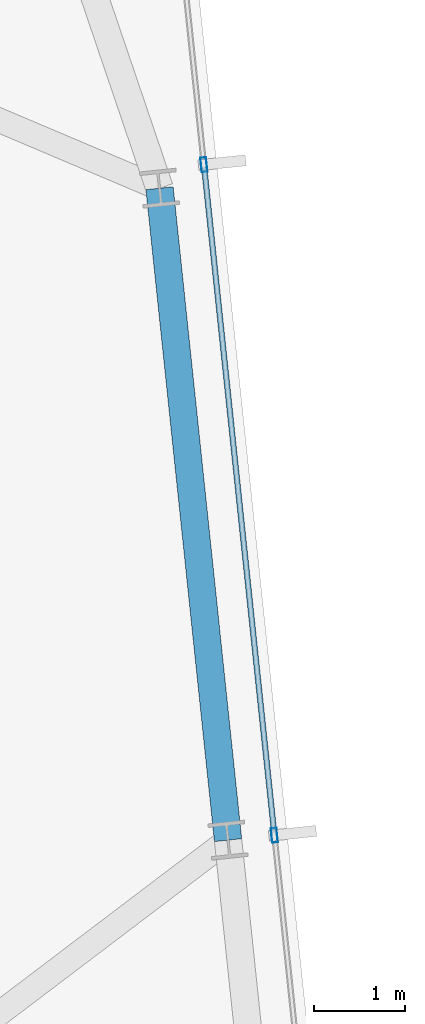
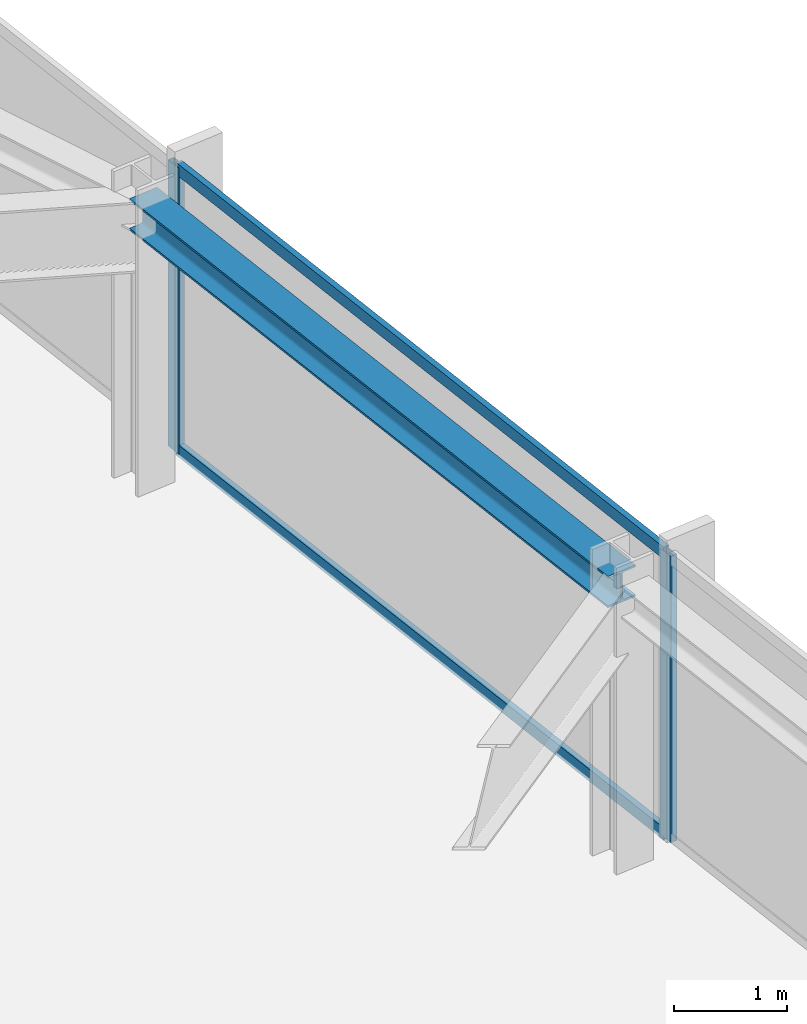
# One storey, part 19 of 33: 4 members, 1 beam, 1 element without a shape of its own.
"""IFC4 building model written with IfcOpenShell, lengths in metres."""

import ifcopenshell
import ifcopenshell.guid

model = None  # the IFC model being written
_history = None  # IfcOwnerHistory: only IFC2X3 demands one
_inside = {}  # id of a spatial element -> (the spatial element, [elements in it])
_under = {}  # id of a project, library or spatial element -> (it, [spatial elements below it])
_declared = {}  # id of a project -> (the project, [libraries it declares])
_typed = {}  # id of a type object -> (the type object, [elements of that type])
_made_of = {}  # id of a material, layer set ... -> (it, [elements and type objects made of it])


def new_model(schema):
    """Start an empty IFC model of exactly this schema.

    Asked for "IFC4X3", IfcOpenShell would pick the latest addendum, in which some entities
    have other attributes; the version numbers below select the first issue.
    IFC2X3 requires an IfcOwnerHistory on every rooted entity: one is made here for all.
    """
    global model, _history
    if schema == "IFC4X3":
        model = ifcopenshell.file(schema_version=(4, 3, 0, 0))
    else:
        model = ifcopenshell.file(schema=schema)
    _inside.clear()
    _under.clear()
    _declared.clear()
    _typed.clear()
    _made_of.clear()
    _history = None
    if model.schema == "IFC2X3":
        org = make("IfcOrganization", Name="unknown")
        user = make(
            "IfcPersonAndOrganization",
            ThePerson=make("IfcPerson", FamilyName="unknown"),
            TheOrganization=org,
        )
        app = make(
            "IfcApplication",
            ApplicationDeveloper=org,
            Version="unknown",
            ApplicationFullName="unknown",
            ApplicationIdentifier="unknown",
        )
        _history = make(
            "IfcOwnerHistory",
            OwningUser=user,
            OwningApplication=app,
            ChangeAction="ADDED",
            CreationDate=0,
        )
    return model


def make(cls, **values):
    """One entity of the class cls with the attributes given. An attribute that is None is left unset."""
    return model.create_entity(
        cls, **{name: value for name, value in values.items() if value is not None}
    )


def rooted(cls, **values):
    """An entity with a GlobalId (a new one), such as an element, a storey or a relation."""
    return make(cls, GlobalId=ifcopenshell.guid.new(), OwnerHistory=_history, **values)


def si_unit(unit_type, name, prefix=None):
    """IfcSIUnit, for example si_unit("LENGTHUNIT", "METRE", prefix="MILLI")."""
    return make("IfcSIUnit", UnitType=unit_type, Prefix=prefix, Name=name)


def assignment(units):
    """IfcUnitAssignment: the units of a project."""
    return None if units is None else make("IfcUnitAssignment", Units=units)


def point(xyz):
    """IfcCartesianPoint."""
    return None if xyz is None else make("IfcCartesianPoint", Coordinates=xyz)


def direction(xyz):
    """IfcDirection."""
    return None if xyz is None else make("IfcDirection", DirectionRatios=xyz)


def frame(location, z_axis=None, x_axis=None):
    """IfcAxis2Placement3D, a coordinate frame: its origin and axes. An axis left out is left unset."""
    return make(
        "IfcAxis2Placement3D",
        Location=point(location),
        Axis=direction(z_axis),
        RefDirection=direction(x_axis),
    )


def frame_2d(location, x_axis=None):
    """IfcAxis2Placement2D, a coordinate frame in the plane: its origin and x axis."""
    return make(
        "IfcAxis2Placement2D", Location=point(location), RefDirection=direction(x_axis)
    )


def origin():
    """The frame at (0, 0, 0) with its axes left unset."""
    return frame((0.0, 0.0, 0.0))


def origin_2d():
    """The frame at (0, 0) in the plane with its x axis left unset."""
    return frame_2d((0.0, 0.0))


def place(relative_to, where):
    """IfcLocalPlacement: puts the frame where relative to a parent placement (None: the world)."""
    return make(
        "IfcLocalPlacement", PlacementRelTo=relative_to, RelativePlacement=where
    )


def context(
    kind, dimensions, precision=None, world=None, true_north=None, identifier=None
):
    """IfcGeometricRepresentationContext, for example the 3D "Model" context."""
    return make(
        "IfcGeometricRepresentationContext",
        ContextIdentifier=identifier,
        ContextType=kind,
        CoordinateSpaceDimension=dimensions,
        Precision=precision,
        WorldCoordinateSystem=world,
        TrueNorth=true_north,
    )


def subcontext(parent, identifier, kind, view, scale=None):
    """IfcGeometricRepresentationSubContext, for example "Body" below "Model"."""
    return make(
        "IfcGeometricRepresentationSubContext",
        ContextIdentifier=identifier,
        ContextType=kind,
        ParentContext=parent,
        TargetScale=scale,
        TargetView=view,
    )


def project(units=None, contexts=None):
    """IfcProject with its units and contexts."""
    return rooted(
        "IfcProject",
        Name="project",
        RepresentationContexts=contexts,
        UnitsInContext=assignment(units),
    )


def spatial(cls, under=None, at=None, **own):
    """A site, building, storey or space (cls), placed at a placement, below another one or the project."""
    s = rooted(cls, ObjectPlacement=at, **own)
    if under is not None:
        _under.setdefault(under.id(), (under, []))[1].append(s)
    return s


def profile(cls, at=None, kind="AREA", **sizes):
    """A parametric profile (cls). Its sizes go by their IFC names, for example OverallWidth=200.0."""
    return make(cls, ProfileType=kind, Position=at, **sizes)


def hollow_rectangle(**sizes):
    """IfcRectangleHollowProfileDef."""
    return profile("IfcRectangleHollowProfileDef", **sizes)


def i_section(**sizes):
    """IfcIShapeProfileDef."""
    return profile("IfcIShapeProfileDef", **sizes)


def extrude(swept, where, along, depth):
    """IfcExtrudedAreaSolid: the profile swept, set in the frame where, extruded along a direction by depth."""
    return make(
        "IfcExtrudedAreaSolid",
        SweptArea=swept,
        Position=where,
        ExtrudedDirection=direction(along),
        Depth=depth,
    )


def shape(context_of_items, identifier, shape_type, items):
    """IfcShapeRepresentation: the items that make up one representation, for example the "Body"."""
    return make(
        "IfcShapeRepresentation",
        ContextOfItems=context_of_items,
        RepresentationIdentifier=identifier,
        RepresentationType=shape_type,
        Items=items,
    )


def material(Name=None, Category=None):
    """IfcMaterial."""
    return make("IfcMaterial", Name=Name, Category=Category)


def material_profile(
    of_material, cross_section, Name=None, Category=None, Priority=None
):
    """IfcMaterialProfile: a cross section and its material."""
    return make(
        "IfcMaterialProfile",
        Name=Name,
        Material=of_material,
        Profile=cross_section,
        Priority=Priority,
        Category=Category,
    )


def profile_set(profiles, Name=None, composite=None):
    """IfcMaterialProfileSet."""
    return make(
        "IfcMaterialProfileSet",
        Name=Name,
        MaterialProfiles=profiles,
        CompositeProfile=composite,
    )


def made_of(thing, what):
    """Note that an element or type object is made of a material, layer set ...; save() writes the relation."""
    if what is not None:
        _made_of.setdefault(what.id(), (what, []))[1].append(thing)
    return thing


def type_object(cls, material=None, **own):
    """A type object (cls), such as IfcWallType, which elements share."""
    return made_of(rooted(cls, **own), material)


def element(
    cls,
    number,
    at=None,
    inside=None,
    cuts=None,
    type_object=None,
    material=None,
    context=None,
    identifier="Body",
    shape_type=None,
    held_by="IfcProductDefinitionShape",
    body=None,
    shapes=None,
    **own,
):
    """One element of the class cls, such as IfcWall. Its Tag is "e" and its number.

    at: its placement. inside: the storey or other place that contains it. cuts: it is an
    opening in that element (IfcRelVoidsElement). A single representation is given by context,
    identifier, shape_type and body (its items); several are given by shapes. held_by: the class
    of the entity that holds the representations. save() writes the other relations.
    """
    e = rooted(cls, Tag="e%d" % number, ObjectPlacement=at, **own)
    if body is not None:
        shapes = [shape(context, identifier, shape_type, body)]
    if shapes is not None:
        e.Representation = make(held_by, Representations=shapes)
    if inside is not None:
        _inside.setdefault(inside.id(), (inside, []))[1].append(e)
    if cuts is not None:
        rooted(
            "IfcRelVoidsElement", RelatingBuildingElement=cuts, RelatedOpeningElement=e
        )
    if type_object is not None:
        _typed.setdefault(type_object.id(), (type_object, []))[1].append(e)
    return made_of(e, material)


def aggregate(whole, parts):
    """IfcRelAggregates: a whole, such as a stair, and the parts it consists of."""
    return rooted("IfcRelAggregates", RelatingObject=whole, RelatedObjects=parts)


def save(model, path):
    """Write the relations noted so far, then the file.

    IfcRelAggregates (storeys below a building ...), IfcRelContainedInSpatialStructure (elements
    in a storey), IfcRelDefinesByType, IfcRelAssociatesMaterial and IfcRelDeclares: one each for
    every whole, place, type object, material and project.
    """
    for whole, parts in _under.values():
        aggregate(whole, parts)
    for where, things in _inside.values():
        rooted(
            "IfcRelContainedInSpatialStructure",
            RelatedElements=things,
            RelatingStructure=where,
        )
    for kind, things in _typed.values():
        rooted("IfcRelDefinesByType", RelatedObjects=things, RelatingType=kind)
    for what, things in _made_of.values():
        rooted("IfcRelAssociatesMaterial", RelatedObjects=things, RelatingMaterial=what)
    for by, libraries in _declared.values():
        rooted("IfcRelDeclares", RelatingContext=by, RelatedDefinitions=libraries)
    model.write(path)


model = new_model("IFC4")

# Units and contexts
model_context = context("Model", 3, precision=1e-05, world=origin(), true_north=direction((0.0, 1.0)))
body_context = subcontext(model_context, "Body", "Model", "MODEL_VIEW")
ifc_project = project(units=[si_unit("LENGTHUNIT", "METRE"), si_unit("AREAUNIT", "SQUARE_METRE"), si_unit("VOLUMEUNIT", "CUBIC_METRE"), si_unit("PLANEANGLEUNIT", "RADIAN"), si_unit("MASSUNIT", "GRAM", prefix="KILO")], contexts=[model_context])

# Site, building, storey
site_placement = place(None, origin())
site = spatial("IfcSite", under=ifc_project, at=site_placement, CompositionType="ELEMENT")
building_placement = place(site_placement, origin())
building = spatial("IfcBuilding", under=site, at=building_placement, Name="Yelkora Congress Tower", CompositionType="ELEMENT")
storey_placement = place(building_placement, frame((0.0, 0.0, 234.199951171875)))
storey = spatial("IfcBuildingStorey", under=building, at=storey_placement, Name="L65", CompositionType="ELEMENT", Elevation=234.199951171875)

# Beam
ifc_material_1 = material(Name="Steel S355J2", Category="steel")
ifc_material_profile_1 = material_profile(ifc_material_1, i_section(OverallWidth=0.300048828125, OverallDepth=0.340087890625, WebThickness=0.011962890625, FlangeThickness=0.021484375, FilletRadius=0.027099609375, at=origin_2d()), Name="HEB 340")
ifc_profile_set_1 = profile_set([ifc_material_profile_1], Name="Steel S355J2")
beam_type = type_object("IfcBeamType", Name="BM-SPAN-HEB340", PredefinedType="SPANDREL", material=ifc_profile_set_1)
beam_placement = place(storey_placement, frame((69.60400390625, 34.296142578125, 2.91015625), z_axis=(-0.104528914631, 0.994521847928, 0.0), x_axis=(-0.994521847928, -0.104528914631, 0.0)))
element("IfcBeam", 1, at=beam_placement, inside=storey, type_object=beam_type, Name="L65 Perimeter Beam 11", PredefinedType="SPANDREL", context=body_context, shape_type="SweptSolid", body=[
    extrude(i_section(OverallWidth=0.300048828125, OverallDepth=0.340087890625, WebThickness=0.011962890625, FlangeThickness=0.021484375, FilletRadius=0.027099609375, at=origin_2d()), origin(), (0.0, 0.0, 1.0), 7.175048828125),
])

# Curtain wall, members
ifc_material_2 = material(Name="Anodised aluminium and insulated glass", Category="aluminium")
curtain_wall_type = type_object("IfcCurtainWallType", Name="CW-SYS-B4", PredefinedType="NOTDEFINED", material=ifc_material_2)
curtain_wall_placement = place(storey_placement, origin())
curtain_wall = element("IfcCurtainWall", 2, at=curtain_wall_placement, inside=storey, type_object=curtain_wall_type, Name="L65 Unitised Curtain Wall 15", PredefinedType="NOTDEFINED")
ifc_material_3 = material(Name="Anodised aluminium 6063-T6", Category="aluminium")
ifc_material_profile_2 = material_profile(ifc_material_3, hollow_rectangle(XDim=0.06494140625, YDim=0.159912109375, WallThickness=0.00390625, at=origin_2d()), Name="ALU 65x160x4")
ifc_profile_set_2 = profile_set([ifc_material_profile_2], Name="Anodised aluminium 6063-T6")
member_type_1 = type_object("IfcMemberType", Name="MEM-ML-B4", PredefinedType="MULLION", material=ifc_profile_set_2)
member_1_placement = place(storey_placement, frame((69.33984375, 41.68896484375, 0.0), z_axis=(0.0, 0.0, 1.0), x_axis=(0.994522182968, 0.104525726898, 0.0)))
member_1 = element("IfcMember", 3, at=member_1_placement, type_object=member_type_1, Name="CW-B4 mullion 2", PredefinedType="MULLION", context=body_context, shape_type="SweptSolid", body=[
    extrude(hollow_rectangle(XDim=0.06494140625, YDim=0.159912109375, WallThickness=0.00390625, at=origin_2d()), origin(), (0.0, 0.0, 1.0), 3.080078125),
])
member_2_placement = place(storey_placement, frame((70.111083984375, 34.349365234375, 0.0), z_axis=(0.0, 0.0, 1.0), x_axis=(0.994522182968, 0.104525726898, 0.0)))
member_2 = element("IfcMember", 4, at=member_2_placement, type_object=member_type_1, Name="CW-B4 mullion 3", PredefinedType="MULLION", context=body_context, shape_type="SweptSolid", body=[
    extrude(hollow_rectangle(XDim=0.06494140625, YDim=0.159912109375, WallThickness=0.00390625, at=origin_2d()), origin(), (0.0, 0.0, 1.0), 3.080078125),
])
ifc_material_profile_3 = material_profile(ifc_material_3, hollow_rectangle(XDim=0.06005859375, YDim=0.1298828125, WallThickness=0.00390625, at=origin_2d()), Name="ALU 60x130x4")
ifc_profile_set_3 = profile_set([ifc_material_profile_3], Name="Anodised aluminium 6063-T6")
member_type_2 = type_object("IfcMemberType", Name="MEM-TR-B4", PredefinedType="USERDEFINED", material=ifc_profile_set_3)
member_3_placement = place(storey_placement, frame((69.34326171875, 41.65673828125, 0.030029296875), z_axis=(0.104531896307, -0.994521534535, 0.0), x_axis=(0.994521534535, 0.104531896307, 0.0)))
member_3 = element("IfcMember", 5, at=member_3_placement, type_object=member_type_2, Name="CW-B4 transom 2.1", ObjectType="TRANSOM", PredefinedType="USERDEFINED", context=body_context, shape_type="SweptSolid", body=[
    extrude(hollow_rectangle(XDim=0.06005859375, YDim=0.1298828125, WallThickness=0.00390625, at=origin_2d()), origin(), (0.0, 0.0, 1.0), 7.31494140625),
])
member_4_placement = place(storey_placement, frame((69.34326171875, 41.65673828125, 3.050048828125), z_axis=(0.104531896307, -0.994521534535, 0.0), x_axis=(0.994521534535, 0.104531896307, 0.0)))
member_4 = element("IfcMember", 6, at=member_4_placement, type_object=member_type_2, Name="CW-B4 transom 2.2", ObjectType="TRANSOM", PredefinedType="USERDEFINED", context=body_context, shape_type="SweptSolid", body=[
    extrude(hollow_rectangle(XDim=0.06005859375, YDim=0.1298828125, WallThickness=0.00390625, at=origin_2d()), origin(), (0.0, 0.0, 1.0), 7.31494140625),
])
aggregate(curtain_wall, [member_1, member_2, member_3, member_4])

save(model, "model.ifc")
